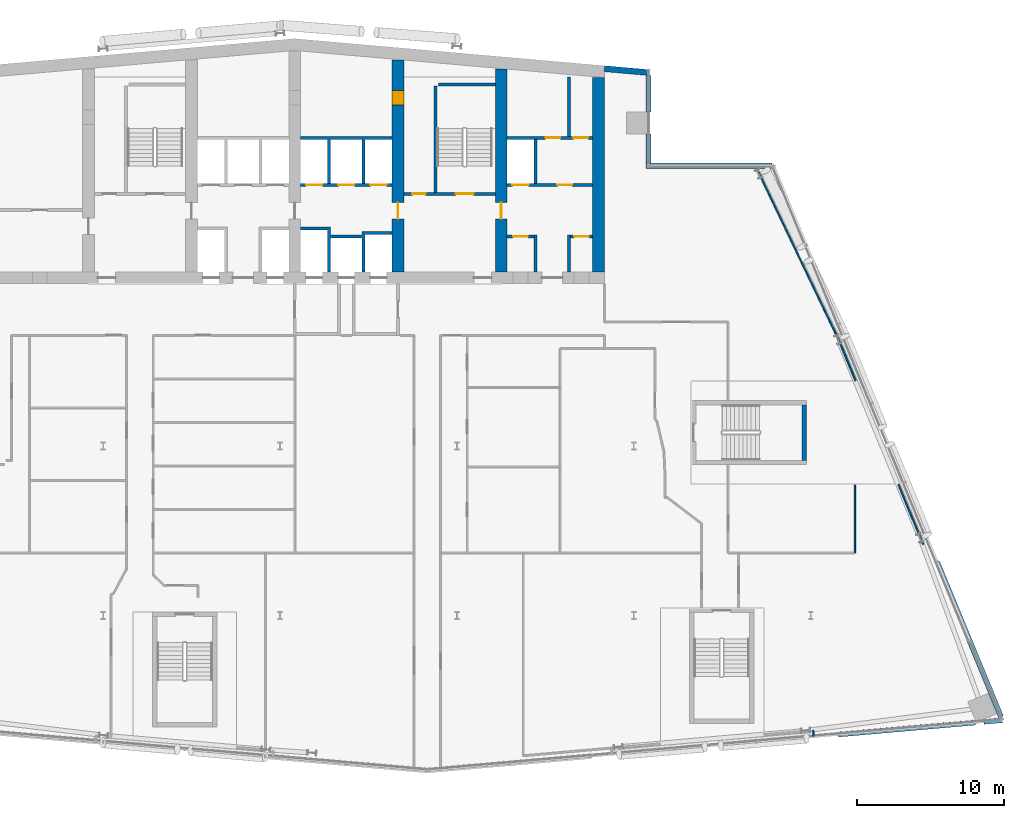
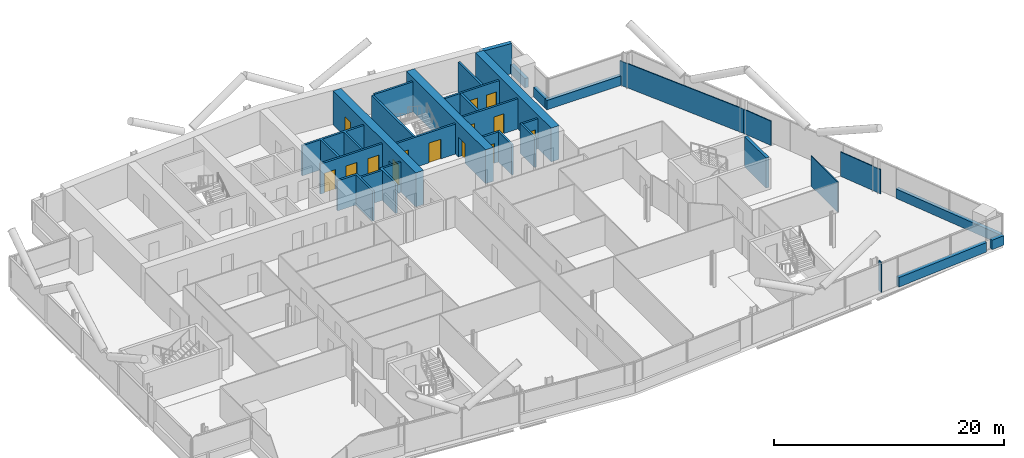
# One storey, part 18 of 26: 30 walls, 14 doors, 14 openings.
"""IFC4 building model written with IfcOpenShell, lengths in metres."""

from ifc_helpers import new_model, si_unit, direction, frame, frame_2d, origin, place, context, subcontext, project, spatial, polyline, rectangle, outline, extrude, material, layer, layer_set, type_object, element, fill, save


model = new_model("IFC4")

# Units and contexts
model_context = context("Model", 3, precision=1e-05, world=origin(), true_north=direction((0.0, 1.0)))
body_context = subcontext(model_context, "Body", "Model", "MODEL_VIEW")
ifc_project = project(units=[si_unit("LENGTHUNIT", "METRE"), si_unit("AREAUNIT", "SQUARE_METRE"), si_unit("VOLUMEUNIT", "CUBIC_METRE"), si_unit("PLANEANGLEUNIT", "RADIAN"), si_unit("MASSUNIT", "GRAM", prefix="KILO")], contexts=[model_context])

# Site, building, storey
site_placement = place(None, origin())
site = spatial("IfcSite", under=ifc_project, at=site_placement, CompositionType="ELEMENT")
building_placement = place(site_placement, origin())
building = spatial("IfcBuilding", under=site, at=building_placement, Name="Wharfspan Tower", CompositionType="ELEMENT")
storey_placement = place(building_placement, frame((0.0, 0.0, 173.5)))
storey = spatial("IfcBuildingStorey", under=building, at=storey_placement, Name="L42", CompositionType="ELEMENT", Elevation=173.5)

# Wall, opening, door
ifc_material_1 = material(Name="Calcium silicate masonry", Category="masonry")
ifc_layer_1 = layer(ifc_material_1, 0.199951)
ifc_layer_set_1 = layer_set([ifc_layer_1], Name="Calcium silicate masonry")
wall_type_1 = type_object("IfcWallType", Name="Core room wall 200", PredefinedType="PARTITIONING", material=ifc_layer_set_1)
wall_1_placement = place(storey_placement, frame((51.399902, 37.199951, 0.0), z_axis=(0.0, 0.0, 1.0), x_axis=(1.0, 0.0, 0.0)))
wall_1 = element("IfcWall", 1, at=wall_1_placement, inside=storey, type_object=wall_type_1, Name="sw:L42:FR6.1", PredefinedType="PARTITIONING", context=body_context, shape_type="SweptSolid", body=[
    extrude(rectangle(XDim=1.833496, YDim=0.199951, at=frame_2d((0.916748, 0.0))), origin(), (0.0, 0.0, 1.0), 3.199951),
])
opening_1_placement = place(wall_1_placement, frame((0.416748, 0.0, 0.0)))
opening_1 = element("IfcOpeningElement", 2, at=opening_1_placement, cuts=wall_1, Name="Opening CD42.6H1", PredefinedType="OPENING", context=body_context, shape_type="SweptSolid", body=[
    extrude(rectangle(XDim=1.0, YDim=2.100098, at=frame_2d((0.5, 1.050049))), frame((0.0, 0.109863, 0.0), z_axis=(0.0, -1.0, 0.0), x_axis=(1.0, 0.0, 0.0)), (0.0, 0.0, 1.0), 0.219971),
])
ifc_material_2 = material(Name="Steel door leaf", Category="steel")
door_type_1 = type_object("IfcDoorType", Name="Core room door 1000x2100", OperationType="SINGLE_SWING_LEFT", PredefinedType="DOOR", material=ifc_material_2)
door_1_placement = place(opening_1_placement, origin())
door_1 = element("IfcDoor", 3, at=door_1_placement, inside=storey, type_object=door_type_1, Name="d:L42:6:fh6.1", OperationType="SINGLE_SWING_RIGHT", OverallHeight=2.100098, OverallWidth=1.0, PredefinedType="DOOR", context=body_context, shape_type="SweptSolid", body=[
    extrude(rectangle(XDim=1.0, YDim=2.100098, at=frame_2d((0.5, 1.050049))), frame((0.0, 0.024902, 0.0), z_axis=(0.0, -1.0, 0.0), x_axis=(1.0, 0.0, 0.0)), (0.0, 0.0, 1.0), 0.050049),
])
fill(opening_1, door_1)

wall_2_placement = place(storey_placement, frame((55.699951, 37.199951, 0.0), z_axis=(0.0, 0.0, 1.0), x_axis=(1.0, 0.0, 0.0)))
wall_2 = element("IfcWall", 4, at=wall_2_placement, inside=storey, type_object=wall_type_1, Name="sw:L42:FR6.3", PredefinedType="PARTITIONING", context=body_context, shape_type="SweptSolid", body=[
    extrude(rectangle(XDim=1.5, YDim=0.199951, at=frame_2d((0.75, 0.0))), origin(), (0.0, 0.0, 1.0), 3.199951),
])
opening_2_placement = place(wall_2_placement, frame((0.25, 0.0, 0.0)))
opening_2 = element("IfcOpeningElement", 5, at=opening_2_placement, cuts=wall_2, Name="Opening CD42.6H3", PredefinedType="OPENING", context=body_context, shape_type="SweptSolid", body=[
    extrude(rectangle(XDim=1.0, YDim=2.100098, at=frame_2d((0.5, 1.050049))), frame((0.0, 0.109863, 0.0), z_axis=(0.0, -1.0, 0.0), x_axis=(1.0, 0.0, 0.0)), (0.0, 0.0, 1.0), 0.219971),
])
door_2_placement = place(opening_2_placement, origin())
door_2 = element("IfcDoor", 6, at=door_2_placement, inside=storey, type_object=door_type_1, Name="d:L42:6:fh6.3", OperationType="SINGLE_SWING_RIGHT", OverallHeight=2.100098, OverallWidth=1.0, PredefinedType="DOOR", context=body_context, shape_type="SweptSolid", body=[
    extrude(rectangle(XDim=1.0, YDim=2.100098, at=frame_2d((0.5, 1.050049))), frame((0.0, 0.024902, 0.0), z_axis=(0.0, -1.0, 0.0), x_axis=(1.0, 0.0, 0.0)), (0.0, 0.0, 1.0), 0.050049),
])
fill(opening_2, door_2)

# Wall
wall_3_placement = place(storey_placement, frame((55.600098, 44.0, 0.0), z_axis=(0.0, 0.0, 1.0), x_axis=(0.0, 1.0, 0.0)))
element("IfcWall", 7, at=wall_3_placement, inside=storey, type_object=wall_type_1, Name="sw:L42:RP6.1", PredefinedType="PARTITIONING", context=body_context, shape_type="SweptSolid", body=[
    extrude(rectangle(XDim=4.03418, YDim=0.199951, at=frame_2d((2.01709, 0.0))), origin(), (0.0, 0.0, 1.0), 3.199951),
])

# Wall, openings, doors
ifc_material_3 = material(Name="Concrete C60/75", Category="concrete")
ifc_layer_2 = layer(ifc_material_3, 0.800049)
ifc_layer_set_2 = layer_set([ifc_layer_2], Name="Concrete C60/75")
wall_type_2 = type_object("IfcWallType", Name="Core wall 800 C60/75", PredefinedType="SHEAR", material=ifc_layer_set_2)
wall_4_placement = place(storey_placement, frame((44.0, 34.800049, 0.0), z_axis=(0.0, 0.0, 1.0), x_axis=(0.0, 1.0, 0.0)))
wall_4 = element("IfcWall", 8, at=wall_4_placement, inside=storey, type_object=wall_type_2, Name="Core cross wall X5 L42", PredefinedType="SHEAR", context=body_context, shape_type="SweptSolid", body=[
    extrude(rectangle(XDim=14.374023, YDim=0.800049, at=frame_2d((7.187012, 0.0))), origin(), (0.0, 0.0, 1.0), 3.600098),
])
opening_3_placement = place(wall_4_placement, frame((11.312012, 0.0, 0.0)))
opening_3 = element("IfcOpeningElement", 9, at=opening_3_placement, cuts=wall_4, Name="Opening CD42.4X", PredefinedType="OPENING", context=body_context, shape_type="SweptSolid", body=[
    extrude(rectangle(XDim=1.0, YDim=2.100098, at=frame_2d((0.5, 1.050049))), frame((0.0, 0.409912, 0.0), z_axis=(0.0, -1.0, 0.0), x_axis=(1.0, 0.0, 0.0)), (0.0, 0.0, 1.0), 0.820068),
])
opening_4_placement = place(wall_4_placement, frame((3.600098, 0.0, 0.0)))
opening_4 = element("IfcOpeningElement", 10, at=opening_4_placement, cuts=wall_4, Name="Opening CC42.5", PredefinedType="OPENING", context=body_context, shape_type="SweptSolid", body=[
    extrude(rectangle(XDim=1.100098, YDim=2.100098, at=frame_2d((0.550049, 1.050049))), frame((0.0, 0.409912, 0.0), z_axis=(0.0, -1.0, 0.0), x_axis=(1.0, 0.0, 0.0)), (0.0, 0.0, 1.0), 0.820068),
])
door_type_2 = type_object("IfcDoorType", Name="Core corridor door 1100x2100", OperationType="SINGLE_SWING_LEFT", PredefinedType="DOOR", material=ifc_material_2)
door_3_placement = place(opening_4_placement, origin())
door_3 = element("IfcDoor", 11, at=door_3_placement, inside=storey, type_object=door_type_2, Name="xd:L42:5", OperationType="SINGLE_SWING_LEFT", OverallHeight=2.100098, OverallWidth=1.100098, PredefinedType="DOOR", context=body_context, shape_type="SweptSolid", body=[
    extrude(rectangle(XDim=1.100098, YDim=2.100098, at=frame_2d((0.550049, 1.050049))), frame((0.0, 0.024902, 0.0), z_axis=(0.0, -1.0, 0.0), x_axis=(1.0, 0.0, 0.0)), (0.0, 0.0, 1.0), 0.050049),
])
fill(opening_4, door_3)
door_4_placement = place(opening_3_placement, origin())
door_4 = element("IfcDoor", 12, at=door_4_placement, inside=storey, type_object=door_type_1, Name="d:L42:4:sx", OperationType="SINGLE_SWING_LEFT", OverallHeight=2.100098, OverallWidth=1.0, PredefinedType="DOOR", context=body_context, shape_type="SweptSolid", body=[
    extrude(rectangle(XDim=1.0, YDim=2.100098, at=frame_2d((0.5, 1.050049))), frame((0.0, 0.399902, 0.0), z_axis=(0.0, -1.0, 0.0), x_axis=(1.0, 0.0, 0.0)), (0.0, 0.0, 1.0), 0.799561),
])
fill(opening_3, door_4)

# Wall, opening, door
wall_5_placement = place(storey_placement, frame((51.0, 34.800049, 0.0), z_axis=(0.0, 0.0, 1.0), x_axis=(0.0, 1.0, 0.0)))
wall_5 = element("IfcWall", 13, at=wall_5_placement, inside=storey, type_object=wall_type_2, Name="Core cross wall X6 L42", PredefinedType="SHEAR", context=body_context, shape_type="SweptSolid", body=[
    extrude(rectangle(XDim=13.761719, YDim=0.800049, at=frame_2d((6.880859, 0.0))), origin(), (0.0, 0.0, 1.0), 3.600098),
])
opening_5_placement = place(wall_5_placement, frame((3.600098, 0.0, 0.0)))
opening_5 = element("IfcOpeningElement", 14, at=opening_5_placement, cuts=wall_5, Name="Opening CC42.6", PredefinedType="OPENING", context=body_context, shape_type="SweptSolid", body=[
    extrude(rectangle(XDim=1.100098, YDim=2.100098, at=frame_2d((0.550049, 1.050049))), frame((0.0, 0.409912, 0.0), z_axis=(0.0, -1.0, 0.0), x_axis=(1.0, 0.0, 0.0)), (0.0, 0.0, 1.0), 0.820068),
])
door_5_placement = place(opening_5_placement, origin())
door_5 = element("IfcDoor", 15, at=door_5_placement, inside=storey, type_object=door_type_2, Name="xd:L42:6", OperationType="SINGLE_SWING_RIGHT", OverallHeight=2.100098, OverallWidth=1.100098, PredefinedType="DOOR", context=body_context, shape_type="SweptSolid", body=[
    extrude(rectangle(XDim=1.100098, YDim=2.100098, at=frame_2d((0.550049, 1.050049))), frame((0.0, 0.024902, 0.0), z_axis=(0.0, -1.0, 0.0), x_axis=(1.0, 0.0, 0.0)), (0.0, 0.0, 1.0), 0.050049),
])
fill(opening_5, door_5)

# Wall
wall_6_placement = place(storey_placement, frame((57.600098, 34.800049, 0.0), z_axis=(0.0, 0.0, 1.0), x_axis=(0.0, 1.0, 0.0)))
element("IfcWall", 16, at=wall_6_placement, inside=storey, type_object=wall_type_2, Name="Core cross wall EW1 L42", PredefinedType="SHEAR", context=body_context, shape_type="SweptSolid", body=[
    extrude(rectangle(XDim=13.184326, YDim=0.800049, at=frame_2d((6.592285, 0.0))), origin(), (0.0, 0.0, 1.0), 3.600098),
])

# Wall, openings, doors
ifc_material_4 = material(Name="Concrete C30/37", Category="concrete")
ifc_layer_3 = layer(ifc_material_4, 0.199951)
ifc_layer_set_3 = layer_set([ifc_layer_3], Name="Concrete C30/37")
wall_type_3 = type_object("IfcWallType", Name="Lift shaft wall 200", PredefinedType="PARTITIONING", material=ifc_layer_set_3)
wall_7_placement = place(storey_placement, frame((37.399902, 40.699951, 0.0), z_axis=(0.0, 0.0, 1.0), x_axis=(1.0, 0.0, 0.0)))
wall_7 = element("IfcWall", 17, at=wall_7_placement, inside=storey, type_object=wall_type_3, Name="sw:L42:RF4", PredefinedType="PARTITIONING", context=body_context, shape_type="SweptSolid", body=[
    extrude(rectangle(XDim=6.200195, YDim=0.199951, at=frame_2d((3.100098, 0.0))), origin(), (0.0, 0.0, 1.0), 3.199951),
])
opening_6_placement = place(wall_7_placement, frame((0.366699, 0.0, 0.0)))
opening_6 = element("IfcOpeningElement", 18, at=opening_6_placement, cuts=wall_7, Name="Opening LD.LB4.L42", PredefinedType="OPENING", context=body_context, shape_type="SweptSolid", body=[
    extrude(rectangle(XDim=1.100098, YDim=2.100098, at=frame_2d((0.550049, 1.050049))), frame((0.0, 0.109863, 0.0), z_axis=(0.0, -1.0, 0.0), x_axis=(1.0, 0.0, 0.0)), (0.0, 0.0, 1.0), 0.219971),
])
opening_7_placement = place(wall_7_placement, frame((2.550049, 0.0, 0.0)))
opening_7 = element("IfcOpeningElement", 19, at=opening_7_placement, cuts=wall_7, Name="Opening LD.LB5.L42", PredefinedType="OPENING", context=body_context, shape_type="SweptSolid", body=[
    extrude(rectangle(XDim=1.100098, YDim=2.100098, at=frame_2d((0.550049, 1.050049))), frame((0.0, 0.109863, 0.0), z_axis=(0.0, -1.0, 0.0), x_axis=(1.0, 0.0, 0.0)), (0.0, 0.0, 1.0), 0.219971),
])
opening_8_placement = place(wall_7_placement, frame((4.733398, 0.0, 0.0)))
opening_8 = element("IfcOpeningElement", 20, at=opening_8_placement, cuts=wall_7, Name="Opening LD.LB6.L42", PredefinedType="OPENING", context=body_context, shape_type="SweptSolid", body=[
    extrude(rectangle(XDim=1.100098, YDim=2.100098, at=frame_2d((0.550049, 1.050049))), frame((0.0, 0.109863, 0.0), z_axis=(0.0, -1.0, 0.0), x_axis=(1.0, 0.0, 0.0)), (0.0, 0.0, 1.0), 0.219971),
])
ifc_material_5 = material(Name="Stainless steel", Category="steel")
door_type_3 = type_object("IfcDoorType", Name="Lift landing door 1100x2100", OperationType="DOUBLE_DOOR_SLIDING", PredefinedType="DOOR", material=ifc_material_5)
door_6_placement = place(opening_6_placement, origin())
door_6 = element("IfcDoor", 21, at=door_6_placement, inside=storey, type_object=door_type_3, Name="Landing door LB4 L42", OperationType="DOUBLE_DOOR_SLIDING", OverallHeight=2.100098, OverallWidth=1.100098, PredefinedType="DOOR", context=body_context, shape_type="SweptSolid", body=[
    extrude(rectangle(XDim=1.100098, YDim=2.100098, at=frame_2d((0.550049, 1.050049))), frame((0.0, 0.024902, 0.0), z_axis=(0.0, -1.0, 0.0), x_axis=(1.0, 0.0, 0.0)), (0.0, 0.0, 1.0), 0.050049),
])
fill(opening_6, door_6)
door_7_placement = place(opening_7_placement, origin())
door_7 = element("IfcDoor", 22, at=door_7_placement, inside=storey, type_object=door_type_3, Name="Landing door LB5 L42", OperationType="DOUBLE_DOOR_SLIDING", OverallHeight=2.100098, OverallWidth=1.100098, PredefinedType="DOOR", context=body_context, shape_type="SweptSolid", body=[
    extrude(rectangle(XDim=1.100098, YDim=2.100098, at=frame_2d((0.550049, 1.050049))), frame((0.0, 0.024902, 0.0), z_axis=(0.0, -1.0, 0.0), x_axis=(1.0, 0.0, 0.0)), (0.0, 0.0, 1.0), 0.050049),
])
fill(opening_7, door_7)
door_8_placement = place(opening_8_placement, origin())
door_8 = element("IfcDoor", 23, at=door_8_placement, inside=storey, type_object=door_type_3, Name="Landing door LB6 L42", OperationType="DOUBLE_DOOR_SLIDING", OverallHeight=2.100098, OverallWidth=1.100098, PredefinedType="DOOR", context=body_context, shape_type="SweptSolid", body=[
    extrude(rectangle(XDim=1.100098, YDim=2.100098, at=frame_2d((0.550049, 1.050049))), frame((0.0, 0.024902, 0.0), z_axis=(0.0, -1.0, 0.0), x_axis=(1.0, 0.0, 0.0)), (0.0, 0.0, 1.0), 0.050049),
])
fill(opening_8, door_8)

# Walls
wall_8_placement = place(storey_placement, frame((0.0, 0.0, -0.000244)))
element("IfcWall", 24, at=wall_8_placement, inside=storey, type_object=wall_type_3, Name="sw:L42:FM4.0", PredefinedType="PARTITIONING", context=body_context, shape_type="SweptSolid", body=[
    extrude(outline(polyline([(41.56665, 37.100098), (39.43335, 37.100098), (39.43335, 34.800049), (39.233398, 34.800049), (39.233398, 37.649902), (37.399902, 37.649902), (37.399902, 37.850098), (39.233398, 37.850098), (39.43335, 37.850098), (39.43335, 37.300049), (41.56665, 37.300049), (41.56665, 37.550049), (41.766602, 37.550049), (43.600098, 37.550049), (43.600098, 37.350098), (41.766602, 37.350098), (41.766602, 34.800049), (41.56665, 34.800049), (41.56665, 37.100098)])), origin(), (0.0, 0.0, 1.0), 3.200195),
])
wall_9_placement = place(storey_placement, frame((0.0, 0.0, -0.000244)))
element("IfcWall", 25, at=wall_9_placement, inside=storey, type_object=wall_type_3, Name="sw:L42:RM4.0", PredefinedType="PARTITIONING", context=body_context, shape_type="SweptSolid", body=[
    extrude(outline(polyline([(39.43335, 40.800049), (39.233398, 40.800049), (39.233398, 43.800049), (37.399902, 43.800049), (37.399902, 44.0), (43.600098, 44.0), (43.600098, 43.800049), (41.766602, 43.800049), (41.766602, 40.800049), (41.56665, 40.800049), (41.56665, 43.800049), (39.43335, 43.800049), (39.43335, 40.800049)])), origin(), (0.0, 0.0, 1.0), 3.200195),
])

# Wall, openings, doors
wall_10_placement = place(storey_placement, frame((51.399902, 40.699951, 0.0), z_axis=(0.0, 0.0, 1.0), x_axis=(1.0, 0.0, 0.0)))
wall_10 = element("IfcWall", 26, at=wall_10_placement, inside=storey, type_object=wall_type_3, Name="sw:L42:RF6", PredefinedType="PARTITIONING", context=body_context, shape_type="SweptSolid", body=[
    extrude(rectangle(XDim=5.800049, YDim=0.199951, at=frame_2d((2.899902, 0.0))), origin(), (0.0, 0.0, 1.0), 3.199951),
])
opening_9_placement = place(wall_10_placement, frame((0.366699, 0.0, 0.0)))
opening_9 = element("IfcOpeningElement", 27, at=opening_9_placement, cuts=wall_10, Name="Opening LD.LB8.L42", PredefinedType="OPENING", context=body_context, shape_type="SweptSolid", body=[
    extrude(rectangle(XDim=1.100098, YDim=2.100098, at=frame_2d((0.550049, 1.050049))), frame((0.0, 0.109863, 0.0), z_axis=(0.0, -1.0, 0.0), x_axis=(1.0, 0.0, 0.0)), (0.0, 0.0, 1.0), 0.219971),
])
opening_10_placement = place(wall_10_placement, frame((3.416748, 0.0, 0.0)))
opening_10 = element("IfcOpeningElement", 28, at=opening_10_placement, cuts=wall_10, Name="Opening CD42.6R2", PredefinedType="OPENING", context=body_context, shape_type="SweptSolid", body=[
    extrude(rectangle(XDim=1.0, YDim=2.100098, at=frame_2d((0.5, 1.050049))), frame((0.0, 0.109863, 0.0), z_axis=(0.0, -1.0, 0.0), x_axis=(1.0, 0.0, 0.0)), (0.0, 0.0, 1.0), 0.219971),
])
door_9_placement = place(opening_10_placement, origin())
door_9 = element("IfcDoor", 29, at=door_9_placement, inside=storey, type_object=door_type_1, Name="d:L42:6:rd6.2", OperationType="SINGLE_SWING_RIGHT", OverallHeight=2.100098, OverallWidth=1.0, PredefinedType="DOOR", context=body_context, shape_type="SweptSolid", body=[
    extrude(rectangle(XDim=1.0, YDim=2.100098, at=frame_2d((0.5, 1.050049))), frame((0.0, 0.024902, 0.0), z_axis=(0.0, -1.0, 0.0), x_axis=(1.0, 0.0, 0.0)), (0.0, 0.0, 1.0), 0.050049),
])
fill(opening_10, door_9)
door_10_placement = place(opening_9_placement, origin())
door_10 = element("IfcDoor", 30, at=door_10_placement, inside=storey, type_object=door_type_3, Name="Landing door LB8 L42", OperationType="DOUBLE_DOOR_SLIDING", OverallHeight=2.100098, OverallWidth=1.100098, PredefinedType="DOOR", context=body_context, shape_type="SweptSolid", body=[
    extrude(rectangle(XDim=1.100098, YDim=2.100098, at=frame_2d((0.550049, 1.050049))), frame((0.0, 0.024902, 0.0), z_axis=(0.0, -1.0, 0.0), x_axis=(1.0, 0.0, 0.0)), (0.0, 0.0, 1.0), 0.050049),
])
fill(opening_9, door_10)

wall_11_placement = place(storey_placement, frame((51.399902, 43.899902, 0.0), z_axis=(0.0, 0.0, 1.0), x_axis=(1.0, 0.0, 0.0)))
wall_11 = element("IfcWall", 31, at=wall_11_placement, inside=storey, type_object=wall_type_3, Name="sw:L42:RR6", PredefinedType="PARTITIONING", context=body_context, shape_type="SweptSolid", body=[
    extrude(rectangle(XDim=5.800049, YDim=0.199951, at=frame_2d((2.899902, 0.0))), origin(), (0.0, 0.0, 1.0), 3.199951),
])
opening_11_placement = place(wall_11_placement, frame((2.616699, 0.0, 0.0)))
opening_11 = element("IfcOpeningElement", 32, at=opening_11_placement, cuts=wall_11, Name="Opening CD42.6S2", PredefinedType="OPENING", context=body_context, shape_type="SweptSolid", body=[
    extrude(rectangle(XDim=1.0, YDim=2.100098, at=frame_2d((0.5, 1.050049))), frame((0.0, 0.109863, 0.0), z_axis=(0.0, -1.0, 0.0), x_axis=(1.0, 0.0, 0.0)), (0.0, 0.0, 1.0), 0.219971),
])
opening_12_placement = place(wall_11_placement, frame((4.5, 0.0, 0.0)))
opening_12 = element("IfcOpeningElement", 33, at=opening_12_placement, cuts=wall_11, Name="Opening CD42.6S2a", PredefinedType="OPENING", context=body_context, shape_type="SweptSolid", body=[
    extrude(rectangle(XDim=1.0, YDim=2.100098, at=frame_2d((0.5, 1.050049))), frame((0.0, 0.109863, 0.0), z_axis=(0.0, -1.0, 0.0), x_axis=(1.0, 0.0, 0.0)), (0.0, 0.0, 1.0), 0.219971),
])
door_11_placement = place(opening_11_placement, origin())
door_11 = element("IfcDoor", 34, at=door_11_placement, inside=storey, type_object=door_type_1, Name="d:L42:6:rs6.2", OperationType="SINGLE_SWING_LEFT", OverallHeight=2.100098, OverallWidth=1.0, PredefinedType="DOOR", context=body_context, shape_type="SweptSolid", body=[
    extrude(rectangle(XDim=1.0, YDim=2.100098, at=frame_2d((0.5, 1.050049))), frame((0.0, 0.024902, 0.0), z_axis=(0.0, -1.0, 0.0), x_axis=(1.0, 0.0, 0.0)), (0.0, 0.0, 1.0), 0.050049),
])
fill(opening_11, door_11)
door_12_placement = place(opening_12_placement, origin())
door_12 = element("IfcDoor", 35, at=door_12_placement, inside=storey, type_object=door_type_1, Name="d:L42:6:rs6.2a", OperationType="SINGLE_SWING_LEFT", OverallHeight=2.100098, OverallWidth=1.0, PredefinedType="DOOR", context=body_context, shape_type="SweptSolid", body=[
    extrude(rectangle(XDim=1.0, YDim=2.100098, at=frame_2d((0.5, 1.050049))), frame((0.0, 0.024902, 0.0), z_axis=(0.0, -1.0, 0.0), x_axis=(1.0, 0.0, 0.0)), (0.0, 0.0, 1.0), 0.050049),
])
fill(opening_12, door_12)

# Walls
wall_12_placement = place(storey_placement, frame((0.0, 0.0, -0.000244)))
element("IfcWall", 36, at=wall_12_placement, inside=storey, type_object=wall_type_3, Name="sw:L42:FM6.0", PredefinedType="PARTITIONING", context=body_context, shape_type="SweptSolid", body=[
    extrude(outline(polyline([(53.233398, 34.800049), (53.233398, 37.300049), (53.43335, 37.300049), (53.43335, 34.800049), (53.233398, 34.800049)])), origin(), (0.0, 0.0, 1.0), 3.200195),
])
wall_13_placement = place(storey_placement, frame((0.0, 0.0, -0.000244)))
element("IfcWall", 37, at=wall_13_placement, inside=storey, type_object=wall_type_3, Name="sw:L42:FM6.1", PredefinedType="PARTITIONING", context=body_context, shape_type="SweptSolid", body=[
    extrude(outline(polyline([(55.5, 34.800049), (55.5, 37.300049), (55.699951, 37.300049), (55.699951, 34.800049), (55.5, 34.800049)])), origin(), (0.0, 0.0, 1.0), 3.200195),
])
wall_14_placement = place(storey_placement, frame((0.0, 0.0, -0.000244)))
element("IfcWall", 38, at=wall_14_placement, inside=storey, type_object=wall_type_3, Name="sw:L42:RM6.0", PredefinedType="PARTITIONING", context=body_context, shape_type="SweptSolid", body=[
    extrude(outline(polyline([(53.43335, 40.800049), (53.43335, 43.800049), (53.233398, 43.800049), (53.233398, 40.800049), (53.43335, 40.800049)])), origin(), (0.0, 0.0, 1.0), 3.200195),
])
ifc_material_6 = material(Name="Gypsum board on steel studs", Category="steel")
ifc_layer_4 = layer(ifc_material_6, 0.100098)
ifc_layer_set_4 = layer_set([ifc_layer_4], Name="Gypsum board on steel studs")
wall_type_4 = type_object("IfcWallType", Name="Partition 100", PredefinedType="PARTITIONING", material=ifc_layer_set_4)
wall_15_placement = place(storey_placement, frame((72.198242, 3.300049, 0.0), z_axis=(0.0, 0.0, 1.0), x_axis=(-0.083759, 0.996486, 0.0)))
element("IfcWall", 39, at=wall_15_placement, inside=storey, type_object=wall_type_4, Name="Partition L42.w062", PredefinedType="PARTITIONING", context=body_context, shape_type="SweptSolid", body=[
    extrude(rectangle(XDim=0.396484, YDim=0.100098, at=frame_2d((0.198242, 0.0))), origin(), (0.0, 0.0, 1.0), 3.199951),
])
wall_16_placement = place(storey_placement, frame((73.88501, 30.22998, 0.0), z_axis=(0.0, 0.0, 1.0), x_axis=(-0.432129, 0.901808, 0.0)))
element("IfcWall", 40, at=wall_16_placement, inside=storey, type_object=wall_type_4, Name="Partition L42.w063", PredefinedType="PARTITIONING", context=body_context, shape_type="SweptSolid", body=[
    extrude(rectangle(XDim=13.029297, YDim=0.100098, at=frame_2d((6.514648, 0.0))), origin(), (0.0, 0.0, 1.0), 2.580078),
])
wall_17_placement = place(storey_placement, frame((75.0, 15.745117, 0.0), z_axis=(0.0, 0.0, 1.0), x_axis=(0.0, 1.0, 0.0)))
element("IfcWall", 41, at=wall_17_placement, inside=storey, type_object=wall_type_4, Name="Partition L42.w064", PredefinedType="PARTITIONING", context=body_context, shape_type="SweptSolid", body=[
    extrude(rectangle(XDim=4.634766, YDim=0.100098, at=frame_2d((2.317383, 0.0))), origin(), (0.0, 0.0, 1.0), 3.199951),
])
wall_18_placement = place(storey_placement, frame((75.046631, 27.419922, 0.0), z_axis=(0.0, 0.0, 1.0), x_axis=(-0.382024, 0.924148, 0.0)))
element("IfcWall", 42, at=wall_18_placement, inside=storey, type_object=wall_type_4, Name="Partition L42.w065", PredefinedType="PARTITIONING", context=body_context, shape_type="SweptSolid", body=[
    extrude(rectangle(XDim=3.040771, YDim=0.100098, at=frame_2d((1.520508, 0.0))), origin(), (0.0, 0.0, 1.0), 2.580078),
])
wall_19_placement = place(storey_placement, frame((79.629883, 16.310059, 0.0), z_axis=(0.0, 0.0, 1.0), x_axis=(-0.380933, 0.9246, 0.0)))
element("IfcWall", 43, at=wall_19_placement, inside=storey, type_object=wall_type_4, Name="Partition L42.w066", PredefinedType="PARTITIONING", context=body_context, shape_type="SweptSolid", body=[
    extrude(rectangle(XDim=4.401611, YDim=0.100098, at=frame_2d((2.200684, 0.0))), origin(), (0.0, 0.0, 1.0), 2.580078),
])
ifc_material_7 = material(Name="Concrete C40/50", Category="concrete")
ifc_layer_5 = layer(ifc_material_7, 0.350098)
ifc_layer_set_5 = layer_set([ifc_layer_5], Name="Concrete C40/50")
wall_type_5 = type_object("IfcWallType", Name="SPANDREL EXPOSED CONCRETE 350", PredefinedType="SOLIDWALL", material=ifc_layer_set_5)
wall_20_placement = place(storey_placement, frame((73.887451, 3.422852, 0.0), z_axis=(0.0, 0.0, 1.0), x_axis=(0.996197, 0.087145, 0.0)))
element("IfcWall", 44, at=wall_20_placement, inside=storey, type_object=wall_type_5, Name="Spandrel upstand L42 S2 2", PredefinedType="SOLIDWALL", context=body_context, shape_type="SweptSolid", body=[
    extrude(rectangle(XDim=9.323486, YDim=0.350098, at=frame_2d((4.661621, 0.0))), origin(), (0.0, 0.0, 1.0), 1.0),
])
wall_21_placement = place(storey_placement, frame((83.744629, 4.285156, 0.0), z_axis=(0.0, 0.0, 1.0), x_axis=(0.996198, 0.087148, 0.0)))
element("IfcWall", 45, at=wall_21_placement, inside=storey, type_object=wall_type_5, Name="Spandrel upstand L42 S2 3", PredefinedType="SOLIDWALL", context=body_context, shape_type="SweptSolid", body=[
    extrude(rectangle(XDim=1.260742, YDim=0.350098, at=frame_2d((0.630371, 0.0))), origin(), (0.0, 0.0, 1.0), 1.0),
])
wall_22_placement = place(storey_placement, frame((84.91626, 4.615967, 0.0), z_axis=(0.0, 0.0, 1.0), x_axis=(-0.381598, 0.924328, 0.0)))
element("IfcWall", 46, at=wall_22_placement, inside=storey, type_object=wall_type_5, Name="Spandrel upstand L42 E", PredefinedType="SOLIDWALL", context=body_context, shape_type="SweptSolid", body=[
    extrude(rectangle(XDim=11.360596, YDim=0.350098, at=frame_2d((5.680176, 0.0))), origin(), (0.0, 0.0, 1.0), 1.0),
])
wall_23_placement = place(storey_placement, frame((69.366211, 42.004883, 0.0), z_axis=(0.0, 0.0, 1.0), x_axis=(-1.0, 0.0, 0.0)))
element("IfcWall", 47, at=wall_23_placement, inside=storey, type_object=wall_type_5, Name="Spandrel upstand L42 NRE-H", PredefinedType="SOLIDWALL", context=body_context, shape_type="SweptSolid", body=[
    extrude(rectangle(XDim=8.536133, YDim=0.350098, at=frame_2d((4.268066, 0.0))), origin(), (0.0, 0.0, 1.0), 1.0),
])
wall_24_placement = place(storey_placement, frame((61.004883, 42.179932, 0.0), z_axis=(0.0, 0.0, 1.0), x_axis=(0.0, 1.0, 0.0)))
element("IfcWall", 48, at=wall_24_placement, inside=storey, type_object=wall_type_5, Name="Spandrel upstand L42 NRE-V", PredefinedType="SOLIDWALL", context=body_context, shape_type="SweptSolid", body=[
    extrude(rectangle(XDim=1.969971, YDim=0.350098, at=frame_2d((0.984863, 0.0))), origin(), (0.0, 0.0, 1.0), 1.0),
])
wall_25_placement = place(storey_placement, frame((61.004883, 45.649902, 0.0), z_axis=(0.0, 0.0, 1.0), x_axis=(0.0, 1.0, 0.0)))
element("IfcWall", 49, at=wall_25_placement, inside=storey, type_object=wall_type_5, Name="Spandrel upstand L42 NRE-V 2", PredefinedType="SOLIDWALL", context=body_context, shape_type="SweptSolid", body=[
    extrude(rectangle(XDim=2.476562, YDim=0.350098, at=frame_2d((1.238281, 0.0))), origin(), (0.0, 0.0, 1.0), 1.0),
])
ifc_layer_6 = layer(ifc_material_7, 0.300049)
ifc_layer_set_6 = layer_set([ifc_layer_6], Name="Concrete C40/50")
wall_type_6 = type_object("IfcWallType", Name="Stair core wall 300", PredefinedType="SHEAR", material=ifc_layer_set_6)
wall_26_placement = place(storey_placement, frame((71.554688, 22.024902, 0.0), z_axis=(0.0, 0.0, 1.0), x_axis=(0.0, 1.0, 0.0)))
element("IfcWall", 50, at=wall_26_placement, inside=storey, type_object=wall_type_6, Name="ST6 stair enclosure wall L42", PredefinedType="SHEAR", context=body_context, shape_type="SweptSolid", body=[
    extrude(rectangle(XDim=3.75, YDim=0.300049, at=frame_2d((1.875, 0.0))), origin(), (0.0, 0.0, 1.0), 3.199951),
])

# Wall, openings, doors
ifc_layer_7 = layer(ifc_material_7, 0.199951)
ifc_layer_set_7 = layer_set([ifc_layer_7], Name="Concrete C40/50")
wall_type_7 = type_object("IfcWallType", Name="Stair shaft wall 200", PredefinedType="SHEAR", material=ifc_layer_set_7)
wall_27_placement = place(storey_placement, frame((44.399902, 40.100098, 0.0), z_axis=(0.0, 0.0, 1.0), x_axis=(1.0, 0.0, 0.0)))
wall_27 = element("IfcWall", 51, at=wall_27_placement, inside=storey, type_object=wall_type_7, Name="ST2 stair enclosure wall L42", PredefinedType="SHEAR", context=body_context, shape_type="SweptSolid", body=[
    extrude(rectangle(XDim=6.200195, YDim=0.199951, at=frame_2d((3.100098, 0.0))), origin(), (0.0, 0.0, 1.0), 3.199951),
])
opening_13_placement = place(wall_27_placement, frame((3.524902, 0.0, 0.0)))
opening_13 = element("IfcOpeningElement", 52, at=opening_13_placement, cuts=wall_27, Name="Opening SD5.L42", PredefinedType="OPENING", context=body_context, shape_type="SweptSolid", body=[
    extrude(rectangle(XDim=1.199951, YDim=2.100098, at=frame_2d((0.600098, 1.050049))), frame((0.0, 0.109863, 0.0), z_axis=(0.0, -1.0, 0.0), x_axis=(1.0, 0.0, 0.0)), (0.0, 0.0, 1.0), 0.219971),
])
opening_14_placement = place(wall_27_placement, frame((0.574951, 0.0, 0.0)))
opening_14 = element("IfcOpeningElement", 53, at=opening_14_placement, cuts=wall_27, Name="Opening CD42.5R", PredefinedType="OPENING", context=body_context, shape_type="SweptSolid", body=[
    extrude(rectangle(XDim=0.899902, YDim=2.100098, at=frame_2d((0.449951, 1.050049))), frame((0.0, 0.109863, 0.0), z_axis=(0.0, -1.0, 0.0), x_axis=(1.0, 0.0, 0.0)), (0.0, 0.0, 1.0), 0.219971),
])
door_13_placement = place(opening_14_placement, origin())
door_13 = element("IfcDoor", 54, at=door_13_placement, inside=storey, type_object=door_type_1, Name="rk:L42:5", OperationType="SINGLE_SWING_LEFT", OverallHeight=2.100098, OverallWidth=0.899902, PredefinedType="DOOR", context=body_context, shape_type="SweptSolid", body=[
    extrude(rectangle(XDim=0.899902, YDim=2.100098, at=frame_2d((0.449951, 1.050049))), frame((0.0, 0.024902, 0.0), z_axis=(0.0, -1.0, 0.0), x_axis=(1.0, 0.0, 0.0)), (0.0, 0.0, 1.0), 0.050049),
])
fill(opening_14, door_13)
door_type_4 = type_object("IfcDoorType", Name="Stair door 1200x2100", OperationType="SINGLE_SWING_LEFT", PredefinedType="DOOR", material=ifc_material_2)
door_14_placement = place(opening_13_placement, origin())
door_14 = element("IfcDoor", 55, at=door_14_placement, inside=storey, type_object=door_type_4, Name="sd:L42:5", OperationType="SINGLE_SWING_RIGHT", OverallHeight=2.100098, OverallWidth=1.199951, PredefinedType="DOOR", context=body_context, shape_type="SweptSolid", body=[
    extrude(rectangle(XDim=1.199951, YDim=2.100098, at=frame_2d((0.600098, 1.050049))), frame((0.0, 0.024902, 0.0), z_axis=(0.0, -1.0, 0.0), x_axis=(1.0, 0.0, 0.0)), (0.0, 0.0, 1.0), 0.050049),
])
fill(opening_13, door_14)

# Walls
wall_28_placement = place(storey_placement, frame((46.550049, 40.199951, 0.0), z_axis=(0.0, 0.0, 1.0), x_axis=(0.0, 1.0, 0.0)))
element("IfcWall", 56, at=wall_28_placement, inside=storey, type_object=wall_type_7, Name="ST2 stair enclosure wall L42", PredefinedType="SHEAR", context=body_context, shape_type="SweptSolid", body=[
    extrude(rectangle(XDim=7.199951, YDim=0.199951, at=frame_2d((3.600098, 0.0))), origin(), (0.0, 0.0, 1.0), 3.199951),
])
wall_29_placement = place(storey_placement, frame((46.75, 47.5, 0.0), z_axis=(0.0, 0.0, 1.0), x_axis=(1.0, 0.0, 0.0)))
element("IfcWall", 57, at=wall_29_placement, inside=storey, type_object=wall_type_7, Name="ST2 stair enclosure wall L42", PredefinedType="SHEAR", context=body_context, shape_type="SweptSolid", body=[
    extrude(rectangle(XDim=3.850098, YDim=0.199951, at=frame_2d((1.925049, 0.0))), origin(), (0.0, 0.0, 1.0), 3.199951),
])
ifc_layer_8 = layer(ifc_material_7, 0.399902)
ifc_layer_set_8 = layer_set([ifc_layer_8], Name="Concrete C40/50")
wall_type_8 = type_object("IfcWallType", Name="WALL EXPOSED CONCRETE 400", PredefinedType="SOLIDWALL", material=ifc_layer_set_8)
wall_30_placement = place(storey_placement, frame((60.982666, 48.325684, 0.0), z_axis=(0.0, 0.0, 1.0), x_axis=(-0.996194, 0.087168, 0.0)))
element("IfcWall", 58, at=wall_30_placement, inside=storey, type_object=wall_type_8, Name="Rear wall N2", PredefinedType="SOLIDWALL", context=body_context, shape_type="SweptSolid", body=[
    extrude(rectangle(XDim=2.994141, YDim=0.399902, at=frame_2d((1.49707, 0.0))), origin(), (0.0, 0.0, 1.0), 3.199951),
])

save(model, "model.ifc")
